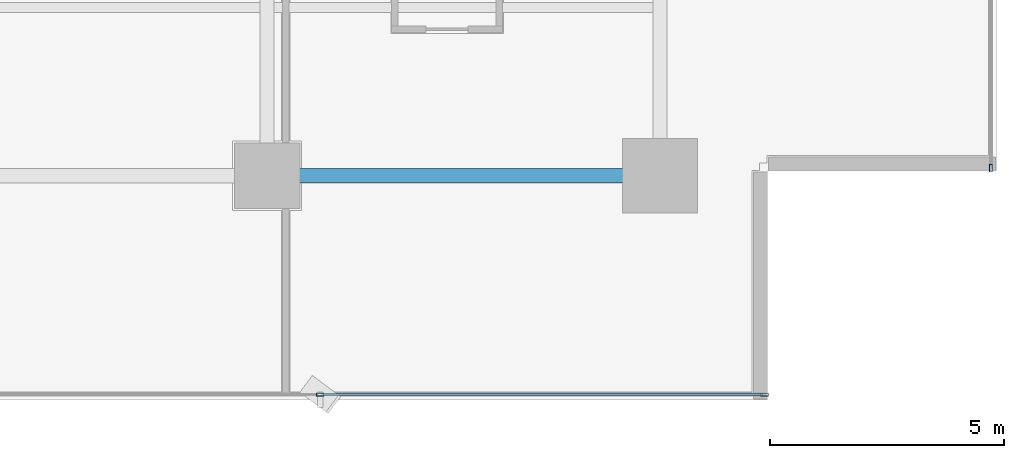
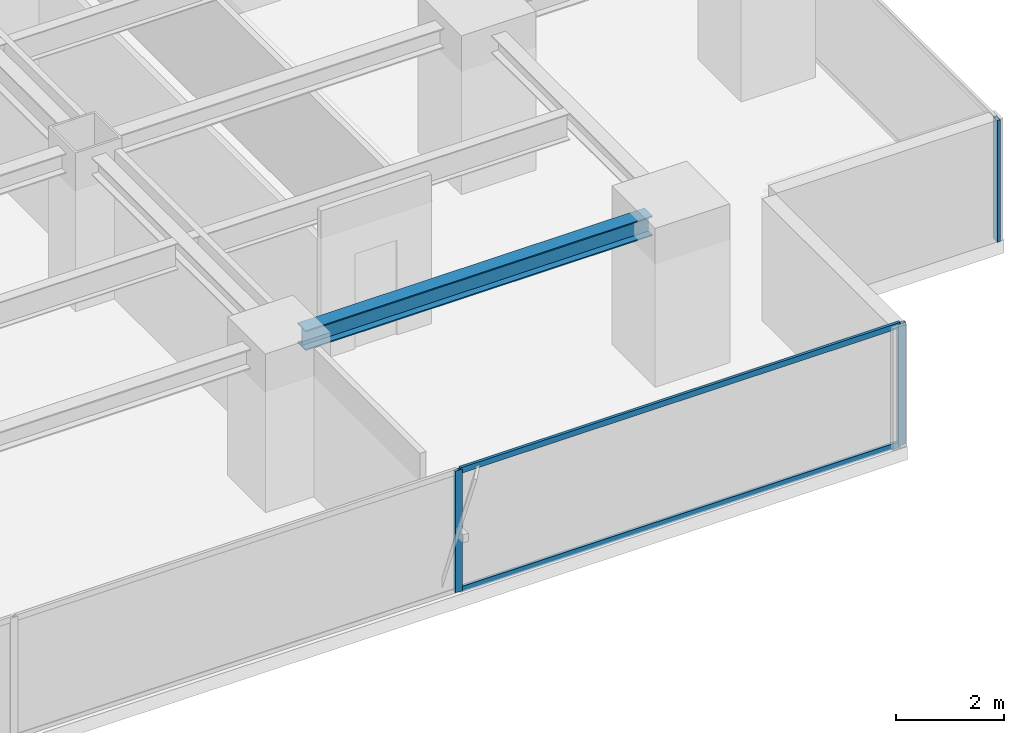
# One storey, part 9 of 29: 5 members, 1 beam, 2 elements without a shape of their own.
"""IFC4 building model written with IfcOpenShell, lengths in metres."""

from ifc_helpers import new_model, si_unit, direction, frame, origin, origin_2d, place, context, subcontext, project, spatial, hollow_rectangle, i_section, extrude, source, transform, mapped, material, layer, layer_set, material_profile, profile_set, type_object, element, aggregate, save


model = new_model("IFC4")

# Units and contexts
model_context = context("Model", 3, precision=1e-05, world=origin(), true_north=direction((0.0, 1.0)))
body_context = subcontext(model_context, "Body", "Model", "MODEL_VIEW")
ifc_project = project(units=[si_unit("LENGTHUNIT", "METRE"), si_unit("AREAUNIT", "SQUARE_METRE"), si_unit("VOLUMEUNIT", "CUBIC_METRE"), si_unit("PLANEANGLEUNIT", "RADIAN"), si_unit("MASSUNIT", "GRAM", prefix="KILO")], contexts=[model_context])

# Site, building, storey
site_placement = place(None, origin())
site = spatial("IfcSite", under=ifc_project, at=site_placement, CompositionType="ELEMENT")
building_placement = place(site_placement, origin())
building = spatial("IfcBuilding", under=site, at=building_placement, Name="Sumidabori Civic Tower", CompositionType="ELEMENT")
storey_placement = place(building_placement, frame((0.0, 0.0, 131.60009765625)))
storey = spatial("IfcBuildingStorey", under=building, at=storey_placement, Name="L33", CompositionType="ELEMENT", Elevation=131.60009765625)

# Beam
ifc_material_1 = material(Name="Steel SN490", Category="steel")
ifc_material_profile_1 = material_profile(ifc_material_1, i_section(OverallWidth=0.300048828125, OverallDepth=0.449951171875, WebThickness=0.013916015625, FlangeThickness=0.02587890625, at=origin_2d()), Name="HE 450 B")
ifc_profile_set_1 = profile_set([ifc_material_profile_1], Name="Steel SN490")
beam_type = type_object("IfcBeamType", Name="BM-GIRD-450", PredefinedType="BEAM", material=ifc_profile_set_1)
shared_shape_1 = source(origin(), body_context, "Body", "SweptSolid", [
    extrude(i_section(OverallWidth=0.300048828125, OverallDepth=0.449951171875, WebThickness=0.013916015625, FlangeThickness=0.02587890625, at=origin_2d()), origin(), (0.0, 0.0, 1.0), 7.440185546875),
])
beam_placement = place(storey_placement, frame((8.8798828125, -18.0, 3.15478515625), z_axis=(1.0, 0.0, 0.0), x_axis=(0.0, 1.0, 0.0)))
element("IfcBeam", 1, at=beam_placement, inside=storey, type_object=beam_type, Name="Primary Girder L33 GX-04", PredefinedType="BEAM", context=body_context, shape_type="MappedRepresentation", body=[
    mapped(shared_shape_1, transform((0.0, 0.0, 0.0), x_axis=(1.0, 0.0, 0.0), y_axis=(0.0, 1.0, 0.0), z_axis=(0.0, 0.0, 1.0), scale=1.0)),
])

# Curtain wall, members
ifc_material_2 = material(Name="Anodised Bronze Aluminium AW-6063-T6", Category="aluminium")
ifc_layer = layer(ifc_material_2, 0.179931640625, Name="Anodised Bronze Aluminium AW-6063-T6")
ifc_layer_set = layer_set([ifc_layer], Name="Anodised Bronze Aluminium AW-6063-T6")
curtain_wall_type = type_object("IfcCurtainWallType", Name="CW-SYS-3", PredefinedType="NOTDEFINED", material=ifc_layer_set)
curtain_wall_1_placement = place(storey_placement, origin())
curtain_wall_1 = element("IfcCurtainWall", 2, at=curtain_wall_1_placement, inside=storey, type_object=curtain_wall_type, Name="Curtain Wall CW:L33:R01", PredefinedType="NOTDEFINED")
ifc_material_profile_2 = material_profile(ifc_material_2, hollow_rectangle(XDim=0.06494140625, YDim=0.159912109375, WallThickness=0.0048828125, at=origin_2d()), Name="ALU MULLION 160x65")
ifc_profile_set_2 = profile_set([ifc_material_profile_2], Name="Anodised Bronze Aluminium AW-6063-T6")
member_type_1 = type_object("IfcMemberType", Name="CW-MUL-160", PredefinedType="MULLION", material=ifc_profile_set_2)
shared_shape_2 = source(origin(), body_context, "Body", "SweptSolid", [
    extrude(hollow_rectangle(XDim=0.06494140625, YDim=0.159912109375, WallThickness=0.0048828125, at=origin_2d()), origin(), (0.0, 0.0, 1.0), 2.760009765625),
])
member_1_placement = place(storey_placement, frame((9.534912109375, -22.679931640625, 0.0), z_axis=(0.0, 0.0, 1.0), x_axis=(0.0, 1.0, 0.0)))
member_1 = element("IfcMember", 3, at=member_1_placement, type_object=member_type_1, Name="CW-3 mullion 4", PredefinedType="MULLION", context=body_context, shape_type="MappedRepresentation", body=[
    mapped(shared_shape_2, transform((0.0, 0.0, 0.0), x_axis=(1.0, 0.0, 0.0), y_axis=(0.0, 1.0, 0.0), z_axis=(0.0, 0.0, 1.0), scale=1.0)),
])
member_2_placement = place(storey_placement, frame((19.03759765625, -22.679931640625, 0.0), z_axis=(0.0, 0.0, 1.0), x_axis=(0.0, 1.0, 0.0)))
member_2 = element("IfcMember", 4, at=member_2_placement, type_object=member_type_1, Name="CW-3 mullion 5", PredefinedType="MULLION", context=body_context, shape_type="MappedRepresentation", body=[
    mapped(shared_shape_2, transform((0.0, 0.0, 0.0), x_axis=(1.0, 0.0, 0.0), y_axis=(0.0, 1.0, 0.0), z_axis=(0.0, 0.0, 1.0), scale=1.0)),
])

# Curtain wall, member
curtain_wall_2_placement = place(storey_placement, origin())
curtain_wall_2 = element("IfcCurtainWall", 5, at=curtain_wall_2_placement, inside=storey, type_object=curtain_wall_type, Name="Curtain Wall CW:L33:R04", PredefinedType="NOTDEFINED")
member_3_placement = place(storey_placement, frame((23.8798828125, -17.83740234375, 0.0), z_axis=(0.0, 0.0, 1.0), x_axis=(-1.0, 0.0, 0.0)))
member_3 = element("IfcMember", 6, at=member_3_placement, type_object=member_type_1, Name="CW-3 mullion 1", PredefinedType="MULLION", context=body_context, shape_type="MappedRepresentation", body=[
    mapped(shared_shape_2, transform((0.0, 0.0, 0.0), x_axis=(1.0, 0.0, 0.0), y_axis=(0.0, 1.0, 0.0), z_axis=(0.0, 0.0, 1.0), scale=1.0)),
])
aggregate(curtain_wall_2, [member_3])

# Member
ifc_material_profile_3 = material_profile(ifc_material_2, hollow_rectangle(XDim=0.06005859375, YDim=0.1298828125, WallThickness=0.0048828125, at=origin_2d()), Name="ALU TRANSOM 130x60")
ifc_profile_set_3 = profile_set([ifc_material_profile_3], Name="Anodised Bronze Aluminium AW-6063-T6")
member_type_2 = type_object("IfcMemberType", Name="CW-TRN-130", PredefinedType="USERDEFINED", material=ifc_profile_set_3)
shared_shape_3 = source(origin(), body_context, "Body", "SweptSolid", [
    extrude(hollow_rectangle(XDim=0.06005859375, YDim=0.1298828125, WallThickness=0.0048828125, at=origin_2d()), origin(), (0.0, 0.0, 1.0), 9.4375),
])
member_4_placement = place(storey_placement, frame((9.5673828125, -22.679931640625, 0.02978515625), z_axis=(1.0, 0.0, 0.0), x_axis=(0.0, 1.0, 0.0)))
member_4 = element("IfcMember", 7, at=member_4_placement, type_object=member_type_2, Name="CW-3 transom 4.1", ObjectType="TRANSOM", PredefinedType="USERDEFINED", context=body_context, shape_type="MappedRepresentation", body=[
    mapped(shared_shape_3, transform((0.0, 0.0, 0.0), x_axis=(1.0, 0.0, 0.0), y_axis=(0.0, 1.0, 0.0), z_axis=(0.0, 0.0, 1.0), scale=1.0)),
])

member_5_placement = place(storey_placement, frame((9.5673828125, -22.679931640625, 2.72998046875), z_axis=(1.0, 0.0, 0.0), x_axis=(0.0, 1.0, 0.0)))
member_5 = element("IfcMember", 8, at=member_5_placement, type_object=member_type_2, Name="CW-3 transom 4.2", ObjectType="TRANSOM", PredefinedType="USERDEFINED", context=body_context, shape_type="MappedRepresentation", body=[
    mapped(shared_shape_3, transform((0.0, 0.0, 0.0), x_axis=(1.0, 0.0, 0.0), y_axis=(0.0, 1.0, 0.0), z_axis=(0.0, 0.0, 1.0), scale=1.0)),
])

aggregate(curtain_wall_1, [member_1, member_2, member_4, member_5])

save(model, "model.ifc")
